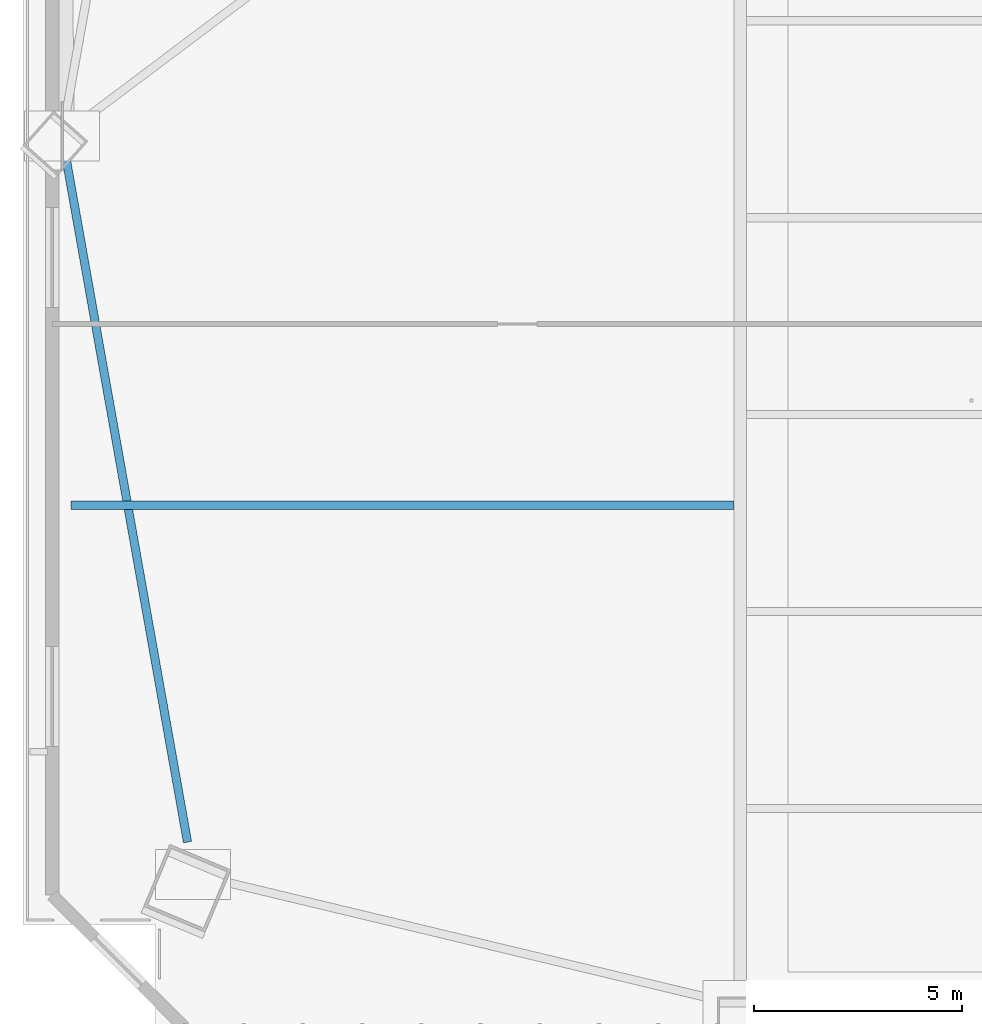
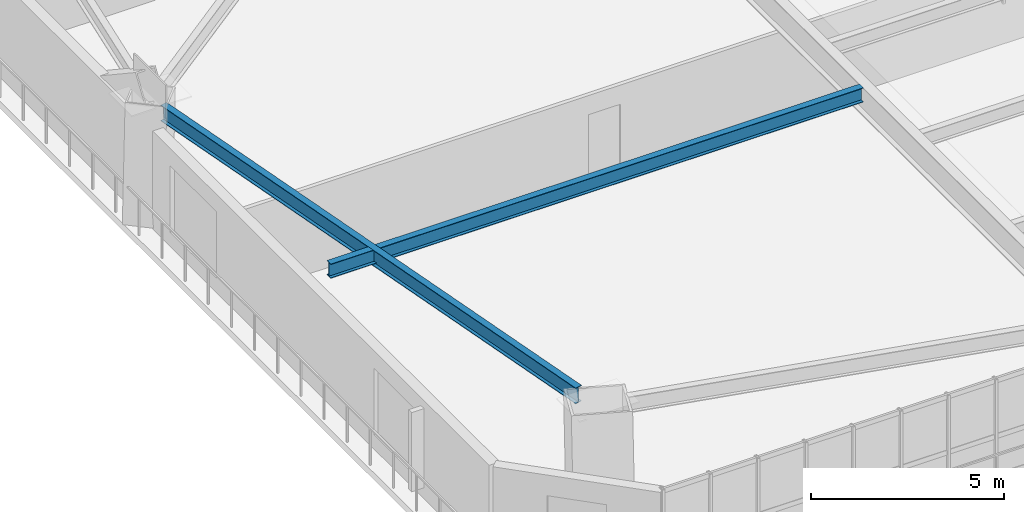
# One storey, part 3 of 17: 2 beams.
"""IFC4 building model written with IfcOpenShell, lengths in metres."""

from ifc_helpers import new_model, si_unit, direction, frame, origin, origin_2d, place, context, subcontext, project, spatial, i_section, extrude, source, transform, mapped, material, material_profile, profile_set, type_object, element, save


model = new_model("IFC4")

# Units and contexts
model_context = context("Model", 3, precision=1e-05, world=origin(), true_north=direction((0.0, 1.0)))
body_context = subcontext(model_context, "Body", "Model", "MODEL_VIEW")
ifc_project = project(units=[si_unit("LENGTHUNIT", "METRE"), si_unit("AREAUNIT", "SQUARE_METRE"), si_unit("VOLUMEUNIT", "CUBIC_METRE"), si_unit("PLANEANGLEUNIT", "RADIAN"), si_unit("MASSUNIT", "GRAM", prefix="KILO")], contexts=[model_context])

# Site, building, storey
site_placement = place(None, origin())
site = spatial("IfcSite", under=ifc_project, at=site_placement, CompositionType="ELEMENT")
building_placement = place(site_placement, origin())
building = spatial("IfcBuilding", under=site, at=building_placement, Name="Giltprow Tower", CompositionType="ELEMENT")
storey_placement = place(building_placement, frame((0.0, 0.0, 44.89990234375)))
storey = spatial("IfcBuildingStorey", under=building, at=storey_placement, Name="L11", CompositionType="ELEMENT", Elevation=44.89990234375)

# Beams
ifc_material = material(Name="Structural steel Q355B", Category="steel")
ifc_material_profile_1 = material_profile(ifc_material, i_section(OverallWidth=0.199951171875, OverallDepth=0.5, WebThickness=0.010009765625, FlangeThickness=0.01611328125, at=origin_2d()), Name="HN 500x200x10x16")
ifc_profile_set_1 = profile_set([ifc_material_profile_1], Name="Structural steel Q355B")
beam_type_1 = type_object("IfcBeamType", Name="BM-SPAN-HN500", PredefinedType="SPANDREL", material=ifc_profile_set_1)
shared_shape_1 = source(origin(), body_context, "Body", "SweptSolid", [
    extrude(i_section(OverallWidth=0.199951171875, OverallDepth=0.5, WebThickness=0.010009765625, FlangeThickness=0.01611328125, at=origin_2d()), origin(), (0.0, 0.0, 1.0), 16.68212890625),
])
beam_1_placement = place(storey_placement, frame((3.6640625, 24.699951171875, 3.3701171875), z_axis=(0.174858049152, -0.984593653568, 0.0), x_axis=(0.984593653568, 0.174858049152, 0.0)))
element("IfcBeam", 1, at=beam_1_placement, inside=storey, type_object=beam_type_1, Name="L11 Perimeter Spandrel Beam W_MID-MC_SW", PredefinedType="SPANDREL", context=body_context, shape_type="MappedRepresentation", body=[
    mapped(shared_shape_1, transform((0.0, 0.0, 0.0), x_axis=(1.0, 0.0, 0.0), y_axis=(0.0, 1.0, 0.0), z_axis=(0.0, 0.0, 1.0), scale=1.0)),
])
ifc_material_profile_2 = material_profile(ifc_material, i_section(OverallWidth=0.199951171875, OverallDepth=0.449951171875, WebThickness=0.009033203125, FlangeThickness=0.013916015625, at=origin_2d()), Name="HN 450x200x9x14")
ifc_profile_set_2 = profile_set([ifc_material_profile_2], Name="Structural steel Q355B")
beam_type_2 = type_object("IfcBeamType", Name="BM-JOIST-HN450", PredefinedType="JOIST", material=ifc_profile_set_2)
shared_shape_2 = source(origin(), body_context, "Body", "SweptSolid", [
    extrude(i_section(OverallWidth=0.199951171875, OverallDepth=0.449951171875, WebThickness=0.009033203125, FlangeThickness=0.013916015625, at=origin_2d()), origin(), (0.0, 0.0, 1.0), 15.9150390625),
])
beam_2_placement = place(storey_placement, frame((3.7900390625, 16.364013671875, 3.39501953125), z_axis=(1.0, 0.0, 0.0), x_axis=(0.0, 1.0, 0.0)))
element("IfcBeam", 2, at=beam_2_placement, inside=storey, type_object=beam_type_2, Name="L11 West Wing Floor Joist 1", PredefinedType="JOIST", context=body_context, shape_type="MappedRepresentation", body=[
    mapped(shared_shape_2, transform((0.0, 0.0, 0.0), x_axis=(1.0, 0.0, 0.0), y_axis=(0.0, 1.0, 0.0), z_axis=(0.0, 0.0, 1.0), scale=1.0)),
])

save(model, "model.ifc")
